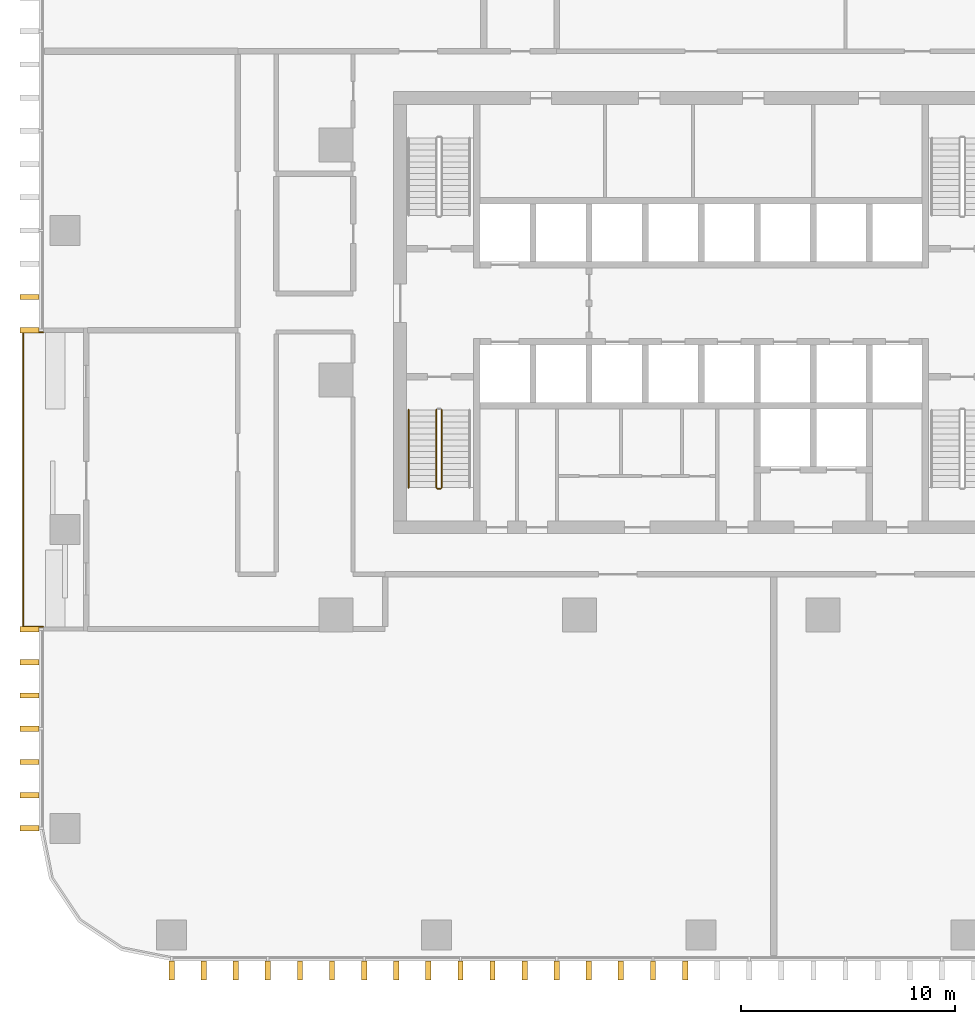
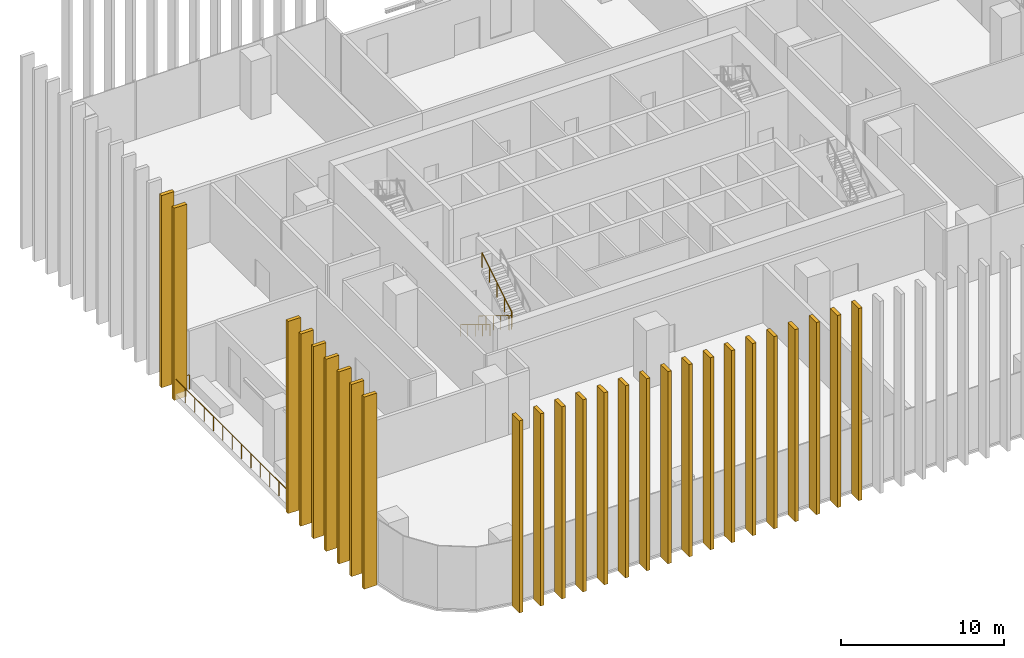
# One storey, part 12 of 17: 26 shading devices, 4 railings.
"""IFC4 building model written with IfcOpenShell, lengths in metres."""

from ifc_helpers import new_model, si_unit, direction, frame, origin, origin_2d, place, context, subcontext, project, spatial, rectangle, circle, extrude, material, type_object, element, save


model = new_model("IFC4")

# Units and contexts
model_context = context("Model", 3, precision=1e-05, world=origin(), true_north=direction((0.0, 1.0)))
body_context = subcontext(model_context, "Body", "Model", "MODEL_VIEW")
ifc_project = project(units=[si_unit("LENGTHUNIT", "METRE"), si_unit("AREAUNIT", "SQUARE_METRE"), si_unit("VOLUMEUNIT", "CUBIC_METRE"), si_unit("PLANEANGLEUNIT", "RADIAN"), si_unit("MASSUNIT", "GRAM", prefix="KILO")], contexts=[model_context])

# Site, building, storey
site_placement = place(None, origin())
site = spatial("IfcSite", under=ifc_project, at=site_placement, CompositionType="ELEMENT")
building_placement = place(site_placement, origin())
building = spatial("IfcBuilding", under=site, at=building_placement, Name="Mopane Tessera Tower", CompositionType="ELEMENT")
storey_placement = place(building_placement, frame((0.0, 0.0, 31.0)))
storey = spatial("IfcBuildingStorey", under=building, at=storey_placement, Name="L05", CompositionType="ELEMENT", Elevation=31.0)

# Shading devices
ifc_material_1 = material(Name="Glazed ceramic tile")
shading_device_type = type_object("IfcShadingDeviceType", Name="Ceramic tile fin 900 x 250 mm", PredefinedType="USERDEFINED", material=ifc_material_1)
for number, where, z_axis, x_axis, name in (
    (1, (-24.800048828125, -27.64990234375, -0.449951171875), (0.0, 0.0, 1.0), (1.0, 0.0, 0.0), "e:fin:L05:S:0:0"),
    (2, (-23.296875, -27.64990234375, -0.449951171875), (0.0, 0.0, 1.0), (1.0, 0.0, 0.0), "e:fin:L05:S:0:1"),
    (3, (-21.7939453125, -27.64990234375, -0.449951171875), (0.0, 0.0, 1.0), (1.0, 0.0, 0.0), "e:fin:L05:S:0:2"),
    (4, (-20.291015625, -27.64990234375, -0.449951171875), (0.0, 0.0, 1.0), (1.0, 0.0, 0.0), "e:fin:L05:S:1:0"),
    (5, (-18.787841796875, -27.64990234375, -0.449951171875), (0.0, 0.0, 1.0), (1.0, 0.0, 0.0), "e:fin:L05:S:1:1"),
    (6, (-17.284912109375, -27.64990234375, -0.449951171875), (0.0, 0.0, 1.0), (1.0, 0.0, 0.0), "e:fin:L05:S:1:2"),
    (7, (-15.78173828125, -27.64990234375, -0.449951171875), (0.0, 0.0, 1.0), (1.0, 0.0, 0.0), "e:fin:L05:S:2:0"),
    (8, (-14.27880859375, -27.64990234375, -0.449951171875), (0.0, 0.0, 1.0), (1.0, 0.0, 0.0), "e:fin:L05:S:2:1"),
    (9, (-12.77587890625, -27.64990234375, -0.449951171875), (0.0, 0.0, 1.0), (1.0, 0.0, 0.0), "e:fin:L05:S:2:2"),
    (10, (-11.272705078125, -27.64990234375, -0.449951171875), (0.0, 0.0, 1.0), (1.0, 0.0, 0.0), "e:fin:L05:S:3:0"),
    (11, (-9.769775390625, -27.64990234375, -0.449951171875), (0.0, 0.0, 1.0), (1.0, 0.0, 0.0), "e:fin:L05:S:3:1"),
    (12, (-8.2666015625, -27.64990234375, -0.449951171875), (0.0, 0.0, 1.0), (1.0, 0.0, 0.0), "e:fin:L05:S:3:2"),
    (13, (-6.763671875, -27.64990234375, -0.449951171875), (0.0, 0.0, 1.0), (1.0, 0.0, 0.0), "e:fin:L05:S:4:0"),
    (14, (-5.260498046875, -27.64990234375, -0.449951171875), (0.0, 0.0, 1.0), (1.0, 0.0, 0.0), "e:fin:L05:S:4:1"),
    (15, (-3.757568359375, -27.64990234375, -0.449951171875), (0.0, 0.0, 1.0), (1.0, 0.0, 0.0), "e:fin:L05:S:4:2"),
    (16, (-2.254638671875, -27.64990234375, -0.449951171875), (0.0, 0.0, 1.0), (1.0, 0.0, 0.0), "e:fin:L05:S:5:0"),
    (17, (-0.75146484375, -27.64990234375, -0.449951171875), (0.0, 0.0, 1.0), (1.0, 0.0, 0.0), "e:fin:L05:S:5:1"),
    (18, (-31.449951171875, 3.888916015625, -0.449951171875), (0.0, 0.0, 1.0), (0.0, -1.0, 0.0), "e:fin:L05:W:3:2"),
    (19, (-31.449951171875, 2.333251953125, -0.449951171875), (0.0, 0.0, 1.0), (0.0, -1.0, 0.0), "e:fin:L05:W:3:3"),
    (20, (-31.449951171875, -11.666748046875, -0.449951171875), (0.0, 0.0, 1.0), (0.0, -1.0, 0.0), "e:fin:L05:W:7:0"),
    (21, (-31.449951171875, -13.22216796875, -0.449951171875), (0.0, 0.0, 1.0), (0.0, -1.0, 0.0), "e:fin:L05:W:7:1"),
    (22, (-31.449951171875, -14.77783203125, -0.449951171875), (0.0, 0.0, 1.0), (0.0, -1.0, 0.0), "e:fin:L05:W:7:2"),
    (23, (-31.449951171875, -16.333251953125, -0.449951171875), (0.0, 0.0, 1.0), (0.0, -1.0, 0.0), "e:fin:L05:W:8:0"),
    (24, (-31.449951171875, -17.888916015625, -0.449951171875), (0.0, 0.0, 1.0), (0.0, -1.0, 0.0), "e:fin:L05:W:8:1"),
    (25, (-31.449951171875, -19.4443359375, -0.449951171875), (0.0, 0.0, 1.0), (0.0, -1.0, 0.0), "e:fin:L05:W:8:2"),
    (26, (-31.449951171875, -21.0, -0.449951171875), (0.0, 0.0, 1.0), (0.0, -1.0, 0.0), "e:fin:L05:W:8:3"),
):
    element("IfcShadingDevice", number, at=place(storey_placement, frame(where, z_axis=z_axis, x_axis=x_axis)), inside=storey, type_object=shading_device_type, Name=name, ObjectType="FIN", PredefinedType="USERDEFINED", context=body_context, shape_type="SweptSolid", body=[
        extrude(rectangle(XDim=0.25, YDim=0.89990234375, at=origin_2d()), origin(), (0.0, 0.0, 1.0), 14.39990234375),
    ])

# Railings
ifc_material_2 = material(Name="Powder-coated steel balustrade", Category="steel")
railing_type_1 = type_object("IfcRailingType", Name="Escape stair guard 1100 mm", PredefinedType="GUARDRAIL", material=ifc_material_2)
railing_1_placement = place(storey_placement, frame((-12.39990234375, -1.39990234375, 0.17138671875)))
element("IfcRailing", 27, at=railing_1_placement, inside=storey, type_object=railing_type_1, Name="L05 ST1 stair guard 1", PredefinedType="GUARDRAIL", context=body_context, shape_type="SweptSolid", body=[
    extrude(circle(Radius=0.02392578125, at=origin_2d()), frame((0.0, 0.0, 1.076171875), z_axis=(0.0, -0.852865859571, 0.52213008492), x_axis=(1.0, 0.0, 0.0)), (0.0, 0.0, 1.0), 4.26806640625),
    extrude(circle(Radius=0.02392578125, at=origin_2d()), frame((0.0, -3.64013671875, 3.3046875), z_axis=(0.705375805398, -0.708833529934, 0.0), x_axis=(0.708833529934, 0.705375805398, 0.0)), (0.0, 0.0, 1.0), 0.070556640625),
    extrude(circle(Radius=0.02392578125, at=origin_2d()), frame((0.0498046875, -3.690185546875, 3.3046875), z_axis=(1.0, 0.0, 0.0), x_axis=(0.0, 1.0, 0.0)), (0.0, 0.0, 1.0), 0.150146484375),
    extrude(circle(Radius=0.02099609375, at=origin_2d()), origin(), (0.0, 0.0, 1.0), 1.052001953125),
    extrude(circle(Radius=0.02099609375, at=origin_2d()), frame((0.0, -0.91015625, 0.55712890625)), (0.0, 0.0, 1.0), 1.052001953125),
    extrude(circle(Radius=0.02099609375, at=origin_2d()), frame((0.0, -1.820068359375, 1.1142578125)), (0.0, 0.0, 1.0), 1.052001953125),
    extrude(circle(Radius=0.02099609375, at=origin_2d()), frame((0.0, -2.72998046875, 1.67138671875)), (0.0, 0.0, 1.0), 1.052001953125),
    extrude(circle(Radius=0.02099609375, at=origin_2d()), frame((0.0, -3.64013671875, 2.228515625)), (0.0, 0.0, 1.0), 1.052001953125),
    extrude(circle(Radius=0.02099609375, at=origin_2d()), frame((0.0498046875, -3.690185546875, 2.228515625)), (0.0, 0.0, 1.0), 1.052001953125),
    extrude(circle(Radius=0.02099609375, at=origin_2d()), frame((0.199951171875, -3.690185546875, 2.228515625)), (0.0, 0.0, 1.0), 1.052001953125),
])
railing_2_placement = place(storey_placement, frame((-12.14990234375, -5.0400390625, 2.571533203125)))
element("IfcRailing", 28, at=railing_2_placement, inside=storey, type_object=railing_type_1, Name="L05 ST1 stair guard 2", PredefinedType="GUARDRAIL", context=body_context, shape_type="SweptSolid", body=[
    extrude(circle(Radius=0.02392578125, at=origin_2d()), frame((0.0, 0.0, 1.076171875), z_axis=(0.0, 0.852865859571, 0.52213008492), x_axis=(-1.0, 0.0, 0.0)), (0.0, 0.0, 1.0), 4.26806640625),
    extrude(circle(Radius=0.02099609375, at=origin_2d()), origin(), (0.0, 0.0, 1.0), 1.052001953125),
    extrude(circle(Radius=0.02099609375, at=origin_2d()), frame((0.0, 0.91015625, 0.55712890625)), (0.0, 0.0, 1.0), 1.052001953125),
    extrude(circle(Radius=0.02099609375, at=origin_2d()), frame((0.0, 1.820068359375, 1.1142578125)), (0.0, 0.0, 1.0), 1.052001953125),
    extrude(circle(Radius=0.02099609375, at=origin_2d()), frame((0.0, 2.72998046875, 1.67138671875)), (0.0, 0.0, 1.0), 1.052001953125),
    extrude(circle(Radius=0.02099609375, at=origin_2d()), frame((0.0, 3.64013671875, 2.228515625)), (0.0, 0.0, 1.0), 1.052001953125),
])
ifc_material_3 = material(Name="Powder-coated steel balustrade", Category="steel")
railing_type_2 = type_object("IfcRailingType", Name="Escape stair handrail 900 mm", PredefinedType="HANDRAIL", material=ifc_material_3)
railing_3_placement = place(storey_placement, frame((-13.699951171875, -1.39990234375, 0.17138671875)))
element("IfcRailing", 29, at=railing_3_placement, inside=storey, type_object=railing_type_2, Name="L05 ST1 stair handrail 1", PredefinedType="HANDRAIL", context=body_context, shape_type="SweptSolid", body=[
    extrude(circle(Radius=0.02392578125, at=origin_2d()), frame((0.0, 0.0, 0.8759765625), z_axis=(0.0, -0.852865859571, 0.52213008492), x_axis=(1.0, 0.0, 0.0)), (0.0, 0.0, 1.0), 4.26806640625),
    extrude(circle(Radius=0.02099609375, at=origin_2d()), origin(), (0.0, 0.0, 1.0), 0.851806640625),
    extrude(circle(Radius=0.02099609375, at=origin_2d()), frame((0.0, -0.91015625, 0.55712890625)), (0.0, 0.0, 1.0), 0.851806640625),
    extrude(circle(Radius=0.02099609375, at=origin_2d()), frame((0.0, -1.820068359375, 1.1142578125)), (0.0, 0.0, 1.0), 0.851806640625),
    extrude(circle(Radius=0.02099609375, at=origin_2d()), frame((0.0, -2.72998046875, 1.67138671875)), (0.0, 0.0, 1.0), 0.851806640625),
    extrude(circle(Radius=0.02099609375, at=origin_2d()), frame((0.0, -3.64013671875, 2.228515625)), (0.0, 0.0, 1.0), 0.851806640625),
])
ifc_material_4 = material(Name="Stainless steel S316", Category="steel")
railing_type_3 = type_object("IfcRailingType", Name="Terrace guard 1100", PredefinedType="GUARDRAIL", material=ifc_material_4)
railing_4_placement = place(storey_placement, frame((-30.800048828125, 2.2333984375, 0.0)))
element("IfcRailing", 30, at=railing_4_placement, inside=storey, type_object=railing_type_3, Name="e:nw:L05:N3:guard", PredefinedType="GUARDRAIL", context=body_context, shape_type="SweptSolid", body=[
    extrude(circle(Radius=0.02392578125, at=origin_2d()), frame((0.0, 0.0, 1.076171875), z_axis=(-1.0, 0.0, 0.0), x_axis=(0.0, -1.0, 0.0)), (0.0, 0.0, 1.0), 0.949951171875),
    extrude(circle(Radius=0.02392578125, at=origin_2d()), frame((-0.949951171875, 0.0, 1.076171875), z_axis=(0.0, -1.0, 0.0), x_axis=(1.0, 0.0, 0.0)), (0.0, 0.0, 1.0), 13.800048828125),
    extrude(circle(Radius=0.02392578125, at=origin_2d()), frame((-0.949951171875, -13.800048828125, 1.076171875), z_axis=(1.0, 0.0, 0.0), x_axis=(0.0, 1.0, 0.0)), (0.0, 0.0, 1.0), 0.949951171875),
    extrude(circle(Radius=0.02099609375, at=origin_2d()), origin(), (0.0, 0.0, 1.0), 1.052001953125),
    extrude(circle(Radius=0.02099609375, at=origin_2d()), frame((-0.949951171875, 0.0, 0.0)), (0.0, 0.0, 1.0), 1.052001953125),
    extrude(circle(Radius=0.02099609375, at=origin_2d()), frame((-0.949951171875, -1.14990234375, 0.0)), (0.0, 0.0, 1.0), 1.052001953125),
    extrude(circle(Radius=0.02099609375, at=origin_2d()), frame((-0.949951171875, -2.300048828125, 0.0)), (0.0, 0.0, 1.0), 1.052001953125),
    extrude(circle(Radius=0.02099609375, at=origin_2d()), frame((-0.949951171875, -3.449951171875, 0.0)), (0.0, 0.0, 1.0), 1.052001953125),
    extrude(circle(Radius=0.02099609375, at=origin_2d()), frame((-0.949951171875, -4.60009765625, 0.0)), (0.0, 0.0, 1.0), 1.052001953125),
    extrude(circle(Radius=0.02099609375, at=origin_2d()), frame((-0.949951171875, -5.75, 0.0)), (0.0, 0.0, 1.0), 1.052001953125),
    extrude(circle(Radius=0.02099609375, at=origin_2d()), frame((-0.949951171875, -6.89990234375, 0.0)), (0.0, 0.0, 1.0), 1.052001953125),
    extrude(circle(Radius=0.02099609375, at=origin_2d()), frame((-0.949951171875, -8.050048828125, 0.0)), (0.0, 0.0, 1.0), 1.052001953125),
    extrude(circle(Radius=0.02099609375, at=origin_2d()), frame((-0.949951171875, -9.199951171875, 0.0)), (0.0, 0.0, 1.0), 1.052001953125),
    extrude(circle(Radius=0.02099609375, at=origin_2d()), frame((-0.949951171875, -10.35009765625, 0.0)), (0.0, 0.0, 1.0), 1.052001953125),
    extrude(circle(Radius=0.02099609375, at=origin_2d()), frame((-0.949951171875, -11.5, 0.0)), (0.0, 0.0, 1.0), 1.052001953125),
    extrude(circle(Radius=0.02099609375, at=origin_2d()), frame((-0.949951171875, -12.650146484375, 0.0)), (0.0, 0.0, 1.0), 1.052001953125),
    extrude(circle(Radius=0.02099609375, at=origin_2d()), frame((-0.949951171875, -13.800048828125, 0.0)), (0.0, 0.0, 1.0), 1.052001953125),
    extrude(circle(Radius=0.02099609375, at=origin_2d()), frame((0.0, -13.800048828125, 0.0)), (0.0, 0.0, 1.0), 1.052001953125),
])

save(model, "model.ifc")
